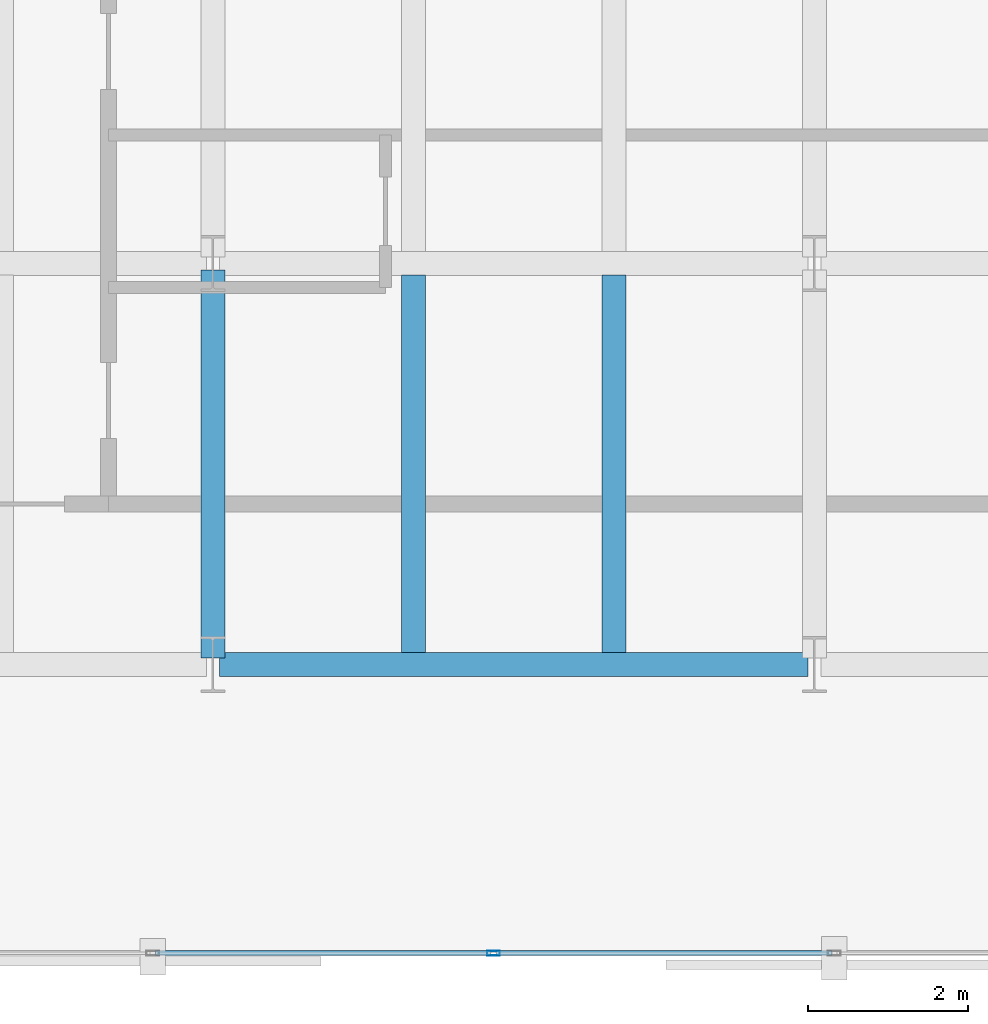
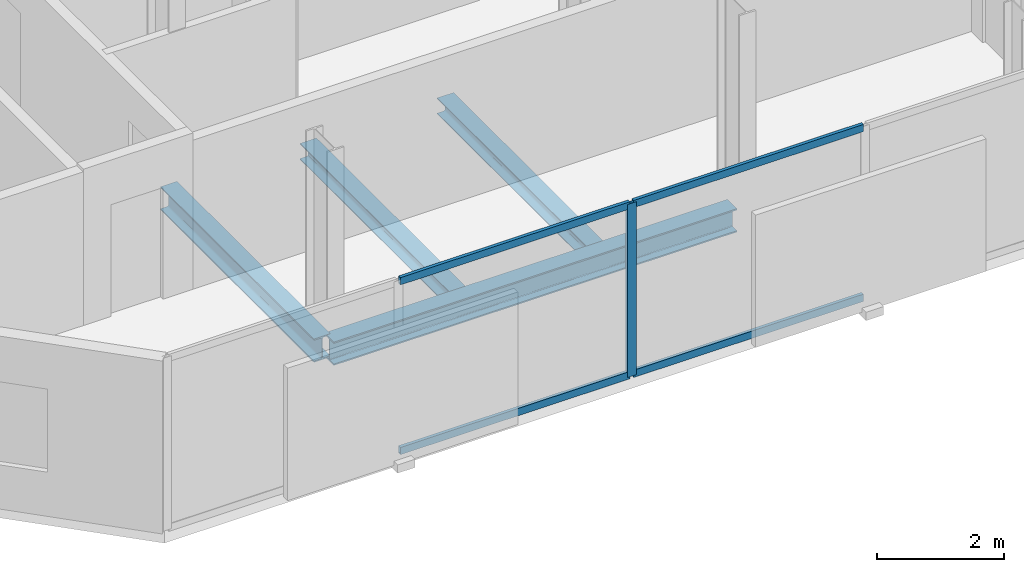
# One storey, part 4 of 32: 5 members, 4 beams, 1 element without a shape of its own.
"""IFC4 building model written with IfcOpenShell, lengths in metres."""

from ifc_helpers import new_model, si_unit, direction, frame, origin, origin_2d, place, context, subcontext, project, spatial, hollow_rectangle, i_section, extrude, material, layer, layer_set, material_profile, profile_set, type_object, element, aggregate, save


model = new_model("IFC4")

# Units and contexts
model_context = context("Model", 3, precision=1e-05, world=origin(), true_north=direction((0.0, 1.0)))
body_context = subcontext(model_context, "Body", "Model", "MODEL_VIEW")
ifc_project = project(units=[si_unit("LENGTHUNIT", "METRE"), si_unit("AREAUNIT", "SQUARE_METRE"), si_unit("VOLUMEUNIT", "CUBIC_METRE"), si_unit("PLANEANGLEUNIT", "RADIAN"), si_unit("MASSUNIT", "GRAM", prefix="KILO")], contexts=[model_context])

# Site, building, storey
site_placement = place(None, origin())
site = spatial("IfcSite", under=ifc_project, at=site_placement, CompositionType="ELEMENT")
building_placement = place(site_placement, origin())
building = spatial("IfcBuilding", under=site, at=building_placement, Name="Catumbela Crestline Tower", CompositionType="ELEMENT")
storey_placement = place(building_placement, frame((0.0, 0.0, 126.0)))
storey = spatial("IfcBuildingStorey", under=building, at=storey_placement, Name="L32", CompositionType="ELEMENT", Elevation=126.0)

# Beams
ifc_material_1 = material(Name="Structural steel S355J2", Category="steel")
ifc_material_profile_1 = material_profile(ifc_material_1, i_section(OverallWidth=0.3, OverallDepth=0.45, WebThickness=0.014, FlangeThickness=0.026, FilletRadius=0.027, at=origin_2d()), Name="HEB 450")
ifc_profile_set_1 = profile_set([ifc_material_profile_1], Name="Structural steel S355J2")
beam_type_1 = type_object("IfcBeamType", Name="BG-HEB450", PredefinedType="BEAM", material=ifc_profile_set_1)
beam_1_placement = place(storey_placement, frame((8.58, 8.6, -0.485), z_axis=(1.0, 0.0, 0.0), x_axis=(0.0, 1.0, 0.0)))
element("IfcBeam", 1, at=beam_1_placement, inside=storey, type_object=beam_type_1, Name="L32 Beam BM-L32-WEW44", PredefinedType="BEAM", context=body_context, shape_type="SweptSolid", body=[
    extrude(i_section(OverallWidth=0.3, OverallDepth=0.45, WebThickness=0.014, FlangeThickness=0.026, FilletRadius=0.027, at=origin_2d()), origin(), (0.0, 0.0, 1.0), 7.34),
])
beam_2_placement = place(storey_placement, frame((8.5, 8.68, -0.485), z_axis=(0.0, 1.0, 0.0), x_axis=(-1.0, 0.0, 0.0)))
element("IfcBeam", 2, at=beam_2_placement, inside=storey, type_object=beam_type_1, Name="L32 Beam BM-L32-WNS55", PredefinedType="BEAM", context=body_context, shape_type="SweptSolid", body=[
    extrude(i_section(OverallWidth=0.3, OverallDepth=0.45, WebThickness=0.014, FlangeThickness=0.026, FilletRadius=0.027, at=origin_2d()), origin(), (0.0, 0.0, 1.0), 4.84),
])
ifc_material_profile_2 = material_profile(ifc_material_1, i_section(OverallWidth=0.3, OverallDepth=0.31, WebThickness=0.009, FlangeThickness=0.0155, FilletRadius=0.027, at=origin_2d()), Name="HEA 320")
ifc_profile_set_2 = profile_set([ifc_material_profile_2], Name="Structural steel S355J2")
beam_type_2 = type_object("IfcBeamType", Name="BJ-HEA320", PredefinedType="JOIST", material=ifc_profile_set_2)
for number, where, z_axis, x_axis, name in (
    (3, (11.0, 8.747, -0.415), (0.0, 1.0, 0.0), (-1.0, 0.0, 0.0), "L32 Joist JS-L32-WG65"),
    (4, (13.5, 8.747, -0.415), (0.0, 1.0, 0.0), (-1.0, 0.0, 0.0), "L32 Joist JS-L32-WG66"),
):
    element("IfcBeam", number, at=place(storey_placement, frame(where, z_axis=z_axis, x_axis=x_axis)), inside=storey, type_object=beam_type_2, Name=name, PredefinedType="JOIST", context=body_context, shape_type="SweptSolid", body=[
        extrude(i_section(OverallWidth=0.3, OverallDepth=0.31, WebThickness=0.009, FlangeThickness=0.0155, FilletRadius=0.027, at=origin_2d()), origin(), (0.0, 0.0, 1.0), 4.706),
    ])

# Curtain wall, members
ifc_material_2 = material(Name="Aluminium alloy AW-6060-T66", Category="aluminium")
ifc_layer = layer(ifc_material_2, 0.18, Name="Aluminium alloy AW-6060-T66")
ifc_layer_set = layer_set([ifc_layer], Name="Aluminium alloy AW-6060-T66")
curtain_wall_type = type_object("IfcCurtainWallType", Name="CWU-Z2", PredefinedType="USERDEFINED", material=ifc_layer_set)
curtain_wall_placement = place(storey_placement, origin())
curtain_wall = element("IfcCurtainWall", 5, at=curtain_wall_placement, inside=storey, type_object=curtain_wall_type, Name="L32 Unitised Curtain Wall CW-L32-E0S1", ObjectType="UNITISED", PredefinedType="USERDEFINED")
ifc_material_profile_3 = material_profile(ifc_material_2, hollow_rectangle(XDim=0.06, YDim=0.16, WallThickness=0.004, at=origin_2d()), Name="ALU 160x60x4")
ifc_profile_set_3 = profile_set([ifc_material_profile_3], Name="Aluminium alloy AW-6060-T66")
member_type_1 = type_object("IfcMemberType", Name="MUL-160X60", PredefinedType="MULLION", material=ifc_profile_set_3)
member_1_placement = place(storey_placement, frame((12.0, 5.0, 0.0), z_axis=(0.0, 0.0, 1.0), x_axis=(0.0, 1.0, 0.0)))
member_1 = element("IfcMember", 6, at=member_1_placement, type_object=member_type_1, Name="CWU-Z2 mullion 3", PredefinedType="MULLION", context=body_context, shape_type="SweptSolid", body=[
    extrude(hollow_rectangle(XDim=0.06, YDim=0.16, WallThickness=0.004, at=origin_2d()), origin(), (0.0, 0.0, 1.0), 3.33),
])
ifc_material_profile_4 = material_profile(ifc_material_2, hollow_rectangle(XDim=0.06, YDim=0.14, WallThickness=0.004, at=origin_2d()), Name="ALU 140x60x4")
ifc_profile_set_4 = profile_set([ifc_material_profile_4], Name="Aluminium alloy AW-6060-T66")
member_type_2 = type_object("IfcMemberType", Name="TRN-140X60", PredefinedType="USERDEFINED", material=ifc_profile_set_4)
member_2_placement = place(storey_placement, frame((7.7825, 5.0, 0.03), z_axis=(1.0, 0.0, 0.0), x_axis=(0.0, 1.0, 0.0)))
member_2 = element("IfcMember", 7, at=member_2_placement, type_object=member_type_2, Name="CWU-Z2 transom 2.1", ObjectType="TRANSOM", PredefinedType="USERDEFINED", context=body_context, shape_type="SweptSolid", body=[
    extrude(hollow_rectangle(XDim=0.06, YDim=0.14, WallThickness=0.004, at=origin_2d()), origin(), (0.0, 0.0, 1.0), 4.185),
])
member_3_placement = place(storey_placement, frame((7.7825, 5.0, 3.3), z_axis=(1.0, 0.0, 0.0), x_axis=(0.0, 1.0, 0.0)))
member_3 = element("IfcMember", 8, at=member_3_placement, type_object=member_type_2, Name="CWU-Z2 transom 2.2", ObjectType="TRANSOM", PredefinedType="USERDEFINED", context=body_context, shape_type="SweptSolid", body=[
    extrude(hollow_rectangle(XDim=0.06, YDim=0.14, WallThickness=0.004, at=origin_2d()), origin(), (0.0, 0.0, 1.0), 4.185),
])
member_4_placement = place(storey_placement, frame((12.0325, 5.0, 0.03), z_axis=(1.0, 0.0, 0.0), x_axis=(0.0, 1.0, 0.0)))
member_4 = element("IfcMember", 9, at=member_4_placement, type_object=member_type_2, Name="CWU-Z2 transom 3.1", ObjectType="TRANSOM", PredefinedType="USERDEFINED", context=body_context, shape_type="SweptSolid", body=[
    extrude(hollow_rectangle(XDim=0.06, YDim=0.14, WallThickness=0.004, at=origin_2d()), origin(), (0.0, 0.0, 1.0), 4.185),
])
member_5_placement = place(storey_placement, frame((12.0325, 5.0, 3.3), z_axis=(1.0, 0.0, 0.0), x_axis=(0.0, 1.0, 0.0)))
member_5 = element("IfcMember", 10, at=member_5_placement, type_object=member_type_2, Name="CWU-Z2 transom 3.2", ObjectType="TRANSOM", PredefinedType="USERDEFINED", context=body_context, shape_type="SweptSolid", body=[
    extrude(hollow_rectangle(XDim=0.06, YDim=0.14, WallThickness=0.004, at=origin_2d()), origin(), (0.0, 0.0, 1.0), 4.185),
])
aggregate(curtain_wall, [member_1, member_2, member_3, member_4, member_5])

save(model, "model.ifc")
